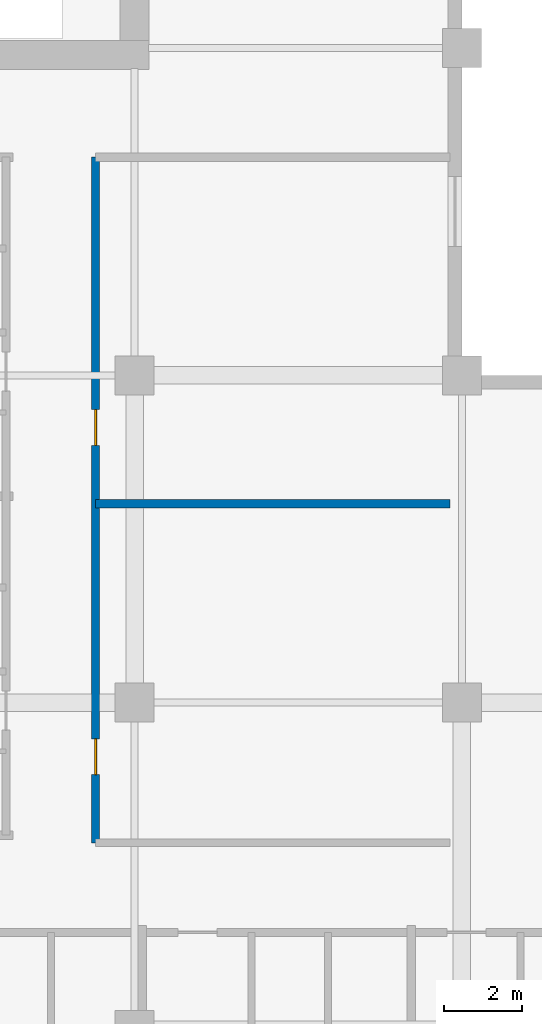
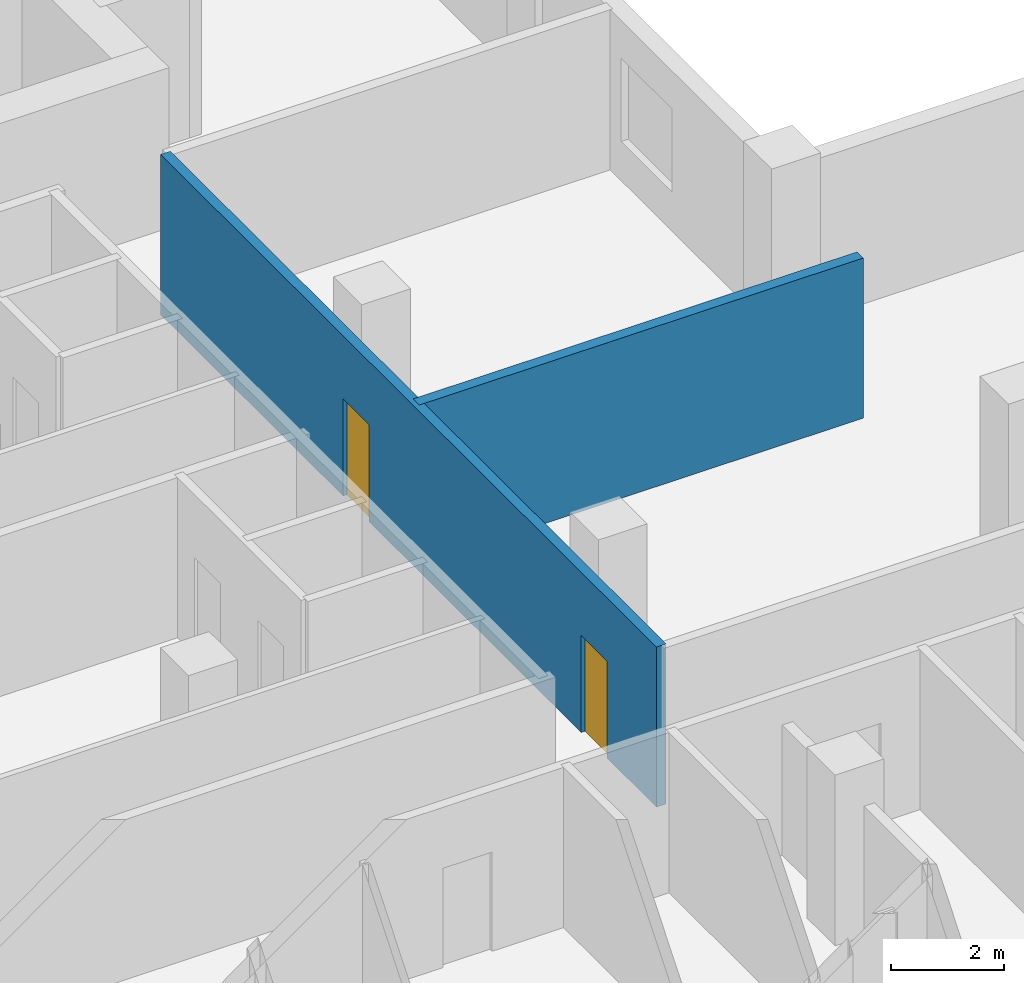
# One storey, part 10 of 22: 2 doors, 2 walls, 2 openings.
"""IFC4 building model written with IfcOpenShell, lengths in metres."""

from ifc_helpers import new_model, si_unit, direction, frame, frame_2d, origin, place, context, subcontext, project, spatial, rectangle, extrude, material, layer, layer_set, type_object, element, fill, save


model = new_model("IFC4")

# Units and contexts
model_context = context("Model", 3, precision=1e-05, world=origin(), true_north=direction((0.0, 1.0)))
body_context = subcontext(model_context, "Body", "Model", "MODEL_VIEW")
ifc_project = project(units=[si_unit("LENGTHUNIT", "METRE"), si_unit("AREAUNIT", "SQUARE_METRE"), si_unit("VOLUMEUNIT", "CUBIC_METRE"), si_unit("PLANEANGLEUNIT", "RADIAN"), si_unit("MASSUNIT", "GRAM", prefix="KILO")], contexts=[model_context])

# Site, building, storey
site_placement = place(None, origin())
site = spatial("IfcSite", under=ifc_project, at=site_placement, CompositionType="ELEMENT")
building_placement = place(site_placement, origin())
building = spatial("IfcBuilding", under=site, at=building_placement, Name="Koriwani Terraces Tower", CompositionType="ELEMENT")
storey_placement = place(building_placement, frame((0.0, 0.0, 182.800048828125)))
storey = spatial("IfcBuildingStorey", under=building, at=storey_placement, Name="L44", CompositionType="ELEMENT", Elevation=182.800048828125)

# Wall, openings, doors
ifc_material_1 = material(Name="Autoclaved Cellular Concrete Blockwork", Category="masonry")
ifc_layer_1 = layer(ifc_material_1, 0.199951171875, Name="Autoclaved Cellular Concrete Blockwork")
ifc_layer_set_1 = layer_set([ifc_layer_1], Name="Autoclaved Cellular Concrete Blockwork")
wall_type_1 = type_object("IfcWallType", Name="WALL_CORRIDOR_200", PredefinedType="PARTITIONING", material=ifc_layer_set_1)
wall_1_placement = place(storey_placement, frame((24.199951171875, 21.60009765625, 0.0), z_axis=(0.0, 0.0, 1.0), x_axis=(0.0, 1.0, 0.0)))
wall_1 = element("IfcWall", 1, at=wall_1_placement, inside=storey, type_object=wall_type_1, Name="L44 Interior Wall WIC2-W-L44", PredefinedType="PARTITIONING", context=body_context, shape_type="SweptSolid", body=[
    extrude(rectangle(XDim=17.599853515625, YDim=0.199951171875, at=frame_2d((8.7998046875, 0.0))), origin(), (0.0, 0.0, 1.0), 3.469970703125),
])
opening_1_placement = place(wall_1_placement, frame((1.75, 0.0, 0.0)))
opening_1 = element("IfcOpeningElement", 2, at=opening_1_placement, cuts=wall_1, Name="Opening D-06", PredefinedType="OPENING", context=body_context, shape_type="SweptSolid", body=[
    extrude(rectangle(XDim=0.919921875, YDim=2.10009765625, at=frame_2d((0.4599609375, 1.050048828125))), frame((0.0, 0.10986328125, 0.0), z_axis=(0.0, -1.0, 0.0), x_axis=(1.0, 0.0, 0.0)), (0.0, 0.0, 1.0), 0.219970703125),
])
opening_2_placement = place(wall_1_placement, frame((10.199951171875, 0.0, 0.0)))
opening_2 = element("IfcOpeningElement", 3, at=opening_2_placement, cuts=wall_1, Name="Opening D-06", PredefinedType="OPENING", context=body_context, shape_type="SweptSolid", body=[
    extrude(rectangle(XDim=0.919921875, YDim=2.10009765625, at=frame_2d((0.4599609375, 1.050048828125))), frame((0.0, 0.10986328125, 0.0), z_axis=(0.0, -1.0, 0.0), x_axis=(1.0, 0.0, 0.0)), (0.0, 0.0, 1.0), 0.219970703125),
])
ifc_material_2 = material(Name="Architectural Oak Fire Door", Category="wood")
door_type = type_object("IfcDoorType", Name="DOOR_ROOM_INT_920X2100", OperationType="NOTDEFINED", PredefinedType="DOOR", material=ifc_material_2)
door_1_placement = place(opening_1_placement, origin())
door_1 = element("IfcDoor", 4, at=door_1_placement, inside=storey, type_object=door_type, Name="L44 Inner Court Salon Door", OperationType="SINGLE_SWING_RIGHT", OverallHeight=2.10009765625, OverallWidth=0.919921875, PredefinedType="DOOR", context=body_context, shape_type="SweptSolid", body=[
    extrude(rectangle(XDim=0.919921875, YDim=2.10009765625, at=frame_2d((0.4599609375, 1.050048828125))), frame((0.0, 0.02490234375, 0.0), z_axis=(0.0, -1.0, 0.0), x_axis=(1.0, 0.0, 0.0)), (0.0, 0.0, 1.0), 0.050048828125),
])
fill(opening_1, door_1)
door_2_placement = place(opening_2_placement, origin())
door_2 = element("IfcDoor", 5, at=door_2_placement, inside=storey, type_object=door_type, Name="L44 Inner Court Media Room Door", OperationType="SINGLE_SWING_LEFT", OverallHeight=2.10009765625, OverallWidth=0.919921875, PredefinedType="DOOR", context=body_context, shape_type="SweptSolid", body=[
    extrude(rectangle(XDim=0.919921875, YDim=2.10009765625, at=frame_2d((0.4599609375, 1.050048828125))), frame((0.0, 0.02490234375, 0.0), z_axis=(0.0, -1.0, 0.0), x_axis=(1.0, 0.0, 0.0)), (0.0, 0.0, 1.0), 0.050048828125),
])
fill(opening_2, door_2)

# Wall
ifc_layer_2 = layer(ifc_material_1, 0.219970703125, Name="Autoclaved Cellular Concrete Blockwork")
ifc_layer_set_2 = layer_set([ifc_layer_2], Name="Autoclaved Cellular Concrete Blockwork")
wall_type_2 = type_object("IfcWallType", Name="WALL_DEMISING_220", PredefinedType="PARTITIONING", material=ifc_layer_set_2)
wall_2_placement = place(storey_placement, frame((24.199951171875, 30.300048828125, 0.0), z_axis=(0.0, 0.0, 1.0), x_axis=(1.0, 0.0, 0.0)))
element("IfcWall", 6, at=wall_2_placement, inside=storey, type_object=wall_type_2, Name="L44 Interior Wall WIC2-M-L44", PredefinedType="PARTITIONING", context=body_context, shape_type="SweptSolid", body=[
    extrude(rectangle(XDim=9.10009765625, YDim=0.219970703125, at=frame_2d((4.550048828125, 0.0))), origin(), (0.0, 0.0, 1.0), 3.469970703125),
])

save(model, "model.ifc")
